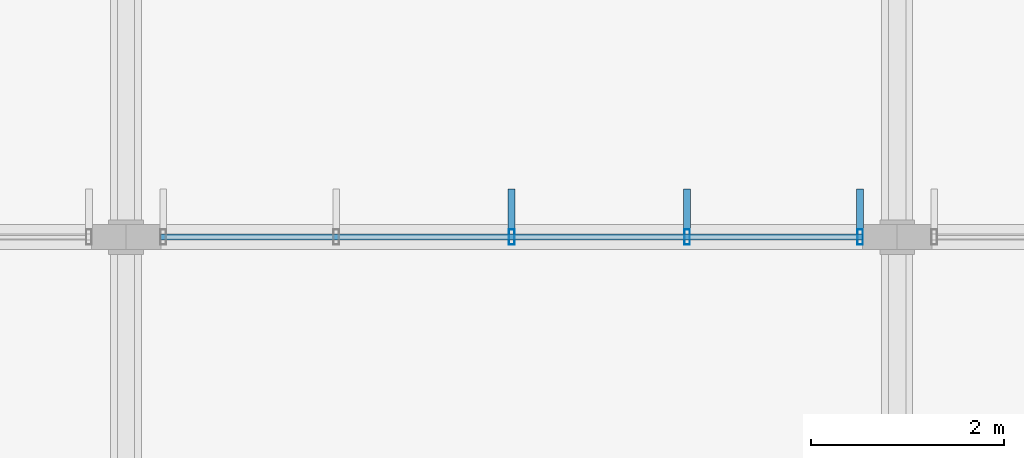
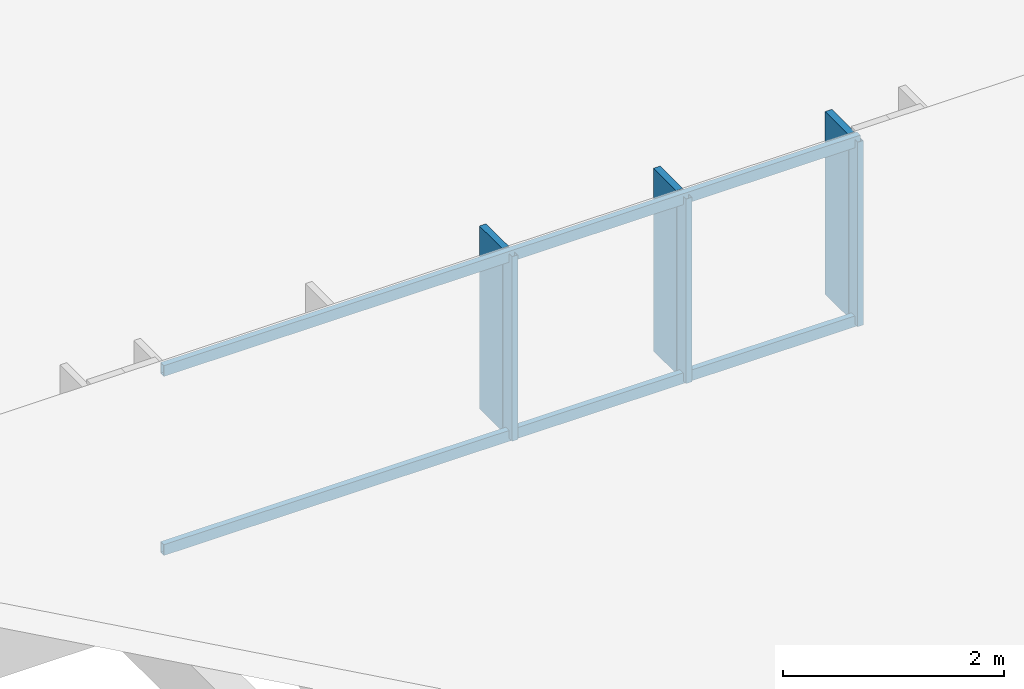
# One storey, part 15 of 94: 8 members, 1 element without a shape of its own.
"""IFC4 building model written with IfcOpenShell, lengths in metres."""

from ifc_helpers import new_model, si_unit, direction, frame, origin, origin_2d, place, context, subcontext, project, spatial, rectangle, hollow_rectangle, extrude, material, material_profile, profile_set, type_object, element, aggregate, save


model = new_model("IFC4")

# Units and contexts
model_context = context("Model", 3, precision=1e-05, world=origin(), true_north=direction((0.0, 1.0)))
body_context = subcontext(model_context, "Body", "Model", "MODEL_VIEW")
ifc_project = project(units=[si_unit("LENGTHUNIT", "METRE"), si_unit("AREAUNIT", "SQUARE_METRE"), si_unit("VOLUMEUNIT", "CUBIC_METRE"), si_unit("PLANEANGLEUNIT", "RADIAN"), si_unit("MASSUNIT", "GRAM", prefix="KILO")], contexts=[model_context])

# Site, building, storey
site_placement = place(None, origin())
site = spatial("IfcSite", under=ifc_project, at=site_placement, CompositionType="ELEMENT")
building_placement = place(site_placement, origin())
building = spatial("IfcBuilding", under=site, at=building_placement, Name="Chiffa Square Polytechnic", CompositionType="ELEMENT")
storey_placement = place(building_placement, frame((0.0, 0.0, 18.0)))
storey = spatial("IfcBuildingStorey", under=building, at=storey_placement, Name="L04", CompositionType="ELEMENT", Elevation=18.0)

# Curtain wall, members
ifc_material_1 = material(Name="Aluminium EN AW-6060 T66 and glulam shading", Category="wood")
curtain_wall_type = type_object("IfcCurtainWallType", Name="CW-VERT-480X380", PredefinedType="USERDEFINED", material=ifc_material_1)
curtain_wall_placement = place(storey_placement, origin())
curtain_wall = element("IfcCurtainWall", 1, at=curtain_wall_placement, inside=storey, type_object=curtain_wall_type, Name="Curtain wall CW-V6-SAW4-2", ObjectType="CURTAIN WALL", PredefinedType="USERDEFINED")
ifc_material_2 = material(Name="Aluminium EN AW-6060 T66", Category="aluminium")
ifc_material_profile_1 = material_profile(ifc_material_2, hollow_rectangle(XDim=0.06005859375, YDim=0.159912109375, WallThickness=0.00390625, at=origin_2d()), Name="ALU 60x160x4")
ifc_profile_set_1 = profile_set([ifc_material_profile_1], Name="Aluminium EN AW-6060 T66")
member_type_1 = type_object("IfcMemberType", Name="CWM-ALU-65X150", PredefinedType="MULLION", material=ifc_profile_set_1)
member_1_placement = place(storey_placement, frame((15.614990234375, 65.39990234375, 0.699951171875), z_axis=(0.0, 0.0, 1.0), x_axis=(1.0, 0.0, 0.0)))
member_1 = element("IfcMember", 2, at=member_1_placement, type_object=member_type_1, Name="Curtain wall mullion CW-V6-SAW4-2-M00", PredefinedType="MULLION", context=body_context, shape_type="SweptSolid", body=[
    extrude(hollow_rectangle(XDim=0.06005859375, YDim=0.159912109375, WallThickness=0.00390625, at=origin_2d()), origin(), (0.0, 0.0, 1.0), 2.0400390625),
])
member_2_placement = place(storey_placement, frame((13.820068359375, 65.39990234375, 0.699951171875), z_axis=(0.0, 0.0, 1.0), x_axis=(1.0, 0.0, 0.0)))
member_2 = element("IfcMember", 3, at=member_2_placement, type_object=member_type_1, Name="Curtain wall mullion CW-V6-SAW4-2-M01", PredefinedType="MULLION", context=body_context, shape_type="SweptSolid", body=[
    extrude(hollow_rectangle(XDim=0.06005859375, YDim=0.159912109375, WallThickness=0.00390625, at=origin_2d()), origin(), (0.0, 0.0, 1.0), 2.0400390625),
])
member_3_placement = place(storey_placement, frame((12.0, 65.39990234375, 0.699951171875), z_axis=(0.0, 0.0, 1.0), x_axis=(1.0, 0.0, 0.0)))
member_3 = element("IfcMember", 4, at=member_3_placement, type_object=member_type_1, Name="Curtain wall mullion CW-V6-SAW4-2-M02", PredefinedType="MULLION", context=body_context, shape_type="SweptSolid", body=[
    extrude(hollow_rectangle(XDim=0.06005859375, YDim=0.159912109375, WallThickness=0.00390625, at=origin_2d()), origin(), (0.0, 0.0, 1.0), 2.0400390625),
])
ifc_material_3 = material(Name="Glulam GL28h", Category="wood")
ifc_material_profile_2 = material_profile(ifc_material_3, rectangle(XDim=0.070068359375, YDim=0.419921875, at=origin_2d()), Name="GL28h 70x420")
ifc_profile_set_2 = profile_set([ifc_material_profile_2], Name="Glulam GL28h")
member_type_2 = type_object("IfcMemberType", Name="CWM-GL-70X420", PredefinedType="MULLION", material=ifc_profile_set_2)
member_4_placement = place(storey_placement, frame((15.614990234375, 65.69189453125, 0.7099609375), z_axis=(0.0, 0.0, 1.0), x_axis=(-1.0, 0.0, 0.0)))
member_4 = element("IfcMember", 5, at=member_4_placement, type_object=member_type_2, Name="Exterior glulam solar fin CW-V6-SAW4-2-FN00", PredefinedType="MULLION", context=body_context, shape_type="SweptSolid", body=[
    extrude(rectangle(XDim=0.070068359375, YDim=0.419921875, at=origin_2d()), origin(), (0.0, 0.0, 1.0), 2.02001953125),
])
member_5_placement = place(storey_placement, frame((13.820068359375, 65.69189453125, 0.7099609375), z_axis=(0.0, 0.0, 1.0), x_axis=(-1.0, 0.0, 0.0)))
member_5 = element("IfcMember", 6, at=member_5_placement, type_object=member_type_2, Name="Exterior glulam solar fin CW-V6-SAW4-2-FN01", PredefinedType="MULLION", context=body_context, shape_type="SweptSolid", body=[
    extrude(rectangle(XDim=0.070068359375, YDim=0.419921875, at=origin_2d()), origin(), (0.0, 0.0, 1.0), 2.02001953125),
])
member_6_placement = place(storey_placement, frame((12.0, 65.69189453125, 0.7099609375), z_axis=(0.0, 0.0, 1.0), x_axis=(-1.0, 0.0, 0.0)))
member_6 = element("IfcMember", 7, at=member_6_placement, type_object=member_type_2, Name="Exterior glulam solar fin CW-V6-SAW4-2-FN02", PredefinedType="MULLION", context=body_context, shape_type="SweptSolid", body=[
    extrude(rectangle(XDim=0.070068359375, YDim=0.419921875, at=origin_2d()), origin(), (0.0, 0.0, 1.0), 2.02001953125),
])
ifc_material_profile_3 = material_profile(ifc_material_2, hollow_rectangle(XDim=0.06005859375, YDim=0.1201171875, WallThickness=0.00390625, at=origin_2d()), Name="ALU 60x120x4")
ifc_profile_set_3 = profile_set([ifc_material_profile_3], Name="Aluminium EN AW-6060 T66")
member_type_3 = type_object("IfcMemberType", Name="CWT-ALU-65X120", PredefinedType="USERDEFINED", material=ifc_profile_set_3)
member_7_placement = place(storey_placement, frame((15.64208984375, 65.39990234375, 0.72998046875), z_axis=(-1.0, 0.0, 0.0), x_axis=(0.0, -1.0, 0.0)))
member_7 = element("IfcMember", 8, at=member_7_placement, type_object=member_type_3, Name="Curtain wall transom CW-V6-SAW4-2-T01", ObjectType="TRANSOM", PredefinedType="USERDEFINED", context=body_context, shape_type="SweptSolid", body=[
    extrude(hollow_rectangle(XDim=0.06005859375, YDim=0.1201171875, WallThickness=0.00390625, at=origin_2d()), origin(), (0.0, 0.0, 1.0), 7.2841796875),
])
member_8_placement = place(storey_placement, frame((15.64208984375, 65.39990234375, 2.7099609375), z_axis=(-1.0, 0.0, 0.0), x_axis=(0.0, -1.0, 0.0)))
member_8 = element("IfcMember", 9, at=member_8_placement, type_object=member_type_3, Name="Curtain wall transom CW-V6-SAW4-2-T02", ObjectType="TRANSOM", PredefinedType="USERDEFINED", context=body_context, shape_type="SweptSolid", body=[
    extrude(hollow_rectangle(XDim=0.06005859375, YDim=0.1201171875, WallThickness=0.00390625, at=origin_2d()), origin(), (0.0, 0.0, 1.0), 7.2841796875),
])
aggregate(curtain_wall, [member_1, member_4, member_2, member_5, member_3, member_6, member_7, member_8])

save(model, "model.ifc")
